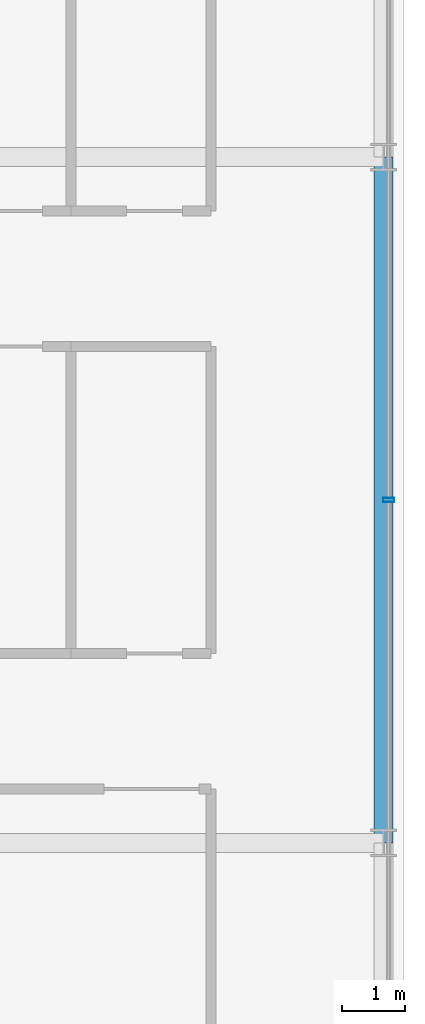
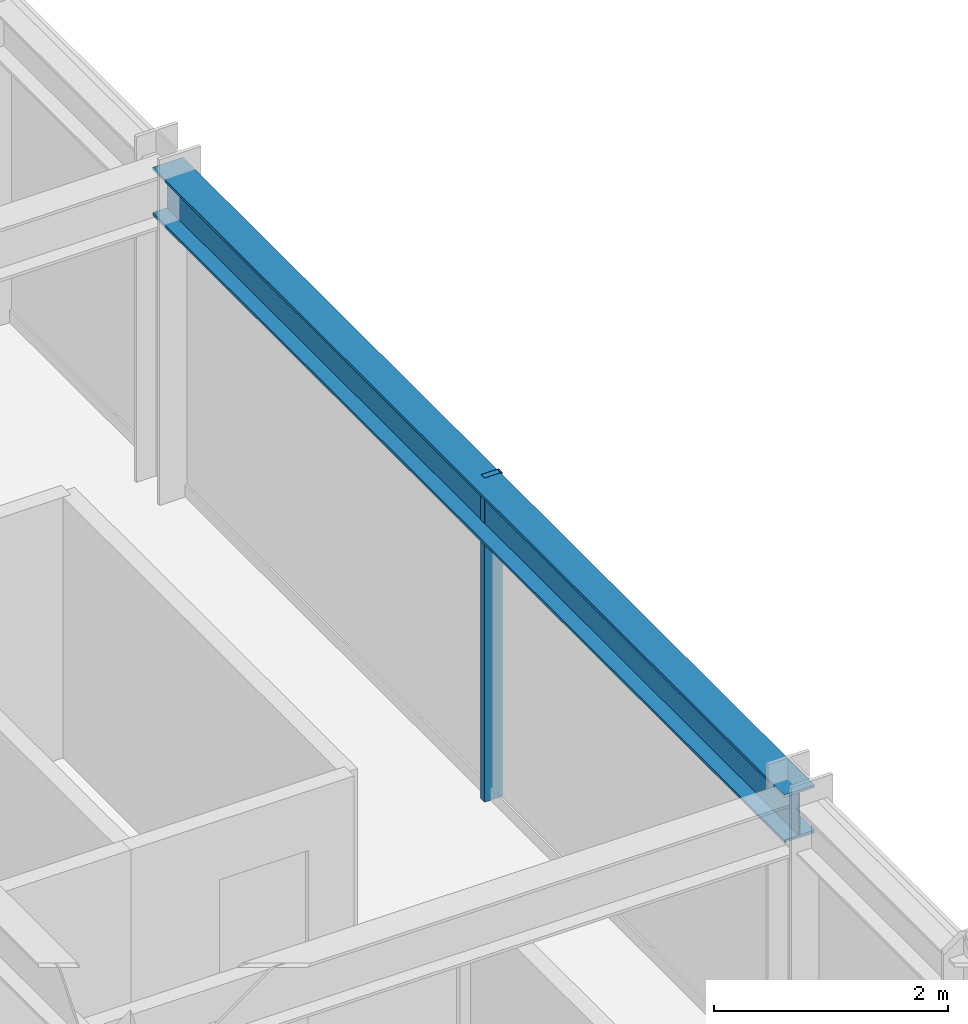
# One storey, part 16 of 32: 1 beam, 1 member, 1 element without a shape of its own.
"""IFC4 building model written with IfcOpenShell, lengths in metres."""

import ifcopenshell
import ifcopenshell.guid

model = None  # the IFC model being written
_history = None  # IfcOwnerHistory: only IFC2X3 demands one
_inside = {}  # id of a spatial element -> (the spatial element, [elements in it])
_under = {}  # id of a project, library or spatial element -> (it, [spatial elements below it])
_declared = {}  # id of a project -> (the project, [libraries it declares])
_typed = {}  # id of a type object -> (the type object, [elements of that type])
_made_of = {}  # id of a material, layer set ... -> (it, [elements and type objects made of it])


def new_model(schema):
    """Start an empty IFC model of exactly this schema.

    Asked for "IFC4X3", IfcOpenShell would pick the latest addendum, in which some entities
    have other attributes; the version numbers below select the first issue.
    IFC2X3 requires an IfcOwnerHistory on every rooted entity: one is made here for all.
    """
    global model, _history
    if schema == "IFC4X3":
        model = ifcopenshell.file(schema_version=(4, 3, 0, 0))
    else:
        model = ifcopenshell.file(schema=schema)
    _inside.clear()
    _under.clear()
    _declared.clear()
    _typed.clear()
    _made_of.clear()
    _history = None
    if model.schema == "IFC2X3":
        org = make("IfcOrganization", Name="unknown")
        user = make(
            "IfcPersonAndOrganization",
            ThePerson=make("IfcPerson", FamilyName="unknown"),
            TheOrganization=org,
        )
        app = make(
            "IfcApplication",
            ApplicationDeveloper=org,
            Version="unknown",
            ApplicationFullName="unknown",
            ApplicationIdentifier="unknown",
        )
        _history = make(
            "IfcOwnerHistory",
            OwningUser=user,
            OwningApplication=app,
            ChangeAction="ADDED",
            CreationDate=0,
        )
    return model


def make(cls, **values):
    """One entity of the class cls with the attributes given. An attribute that is None is left unset."""
    return model.create_entity(
        cls, **{name: value for name, value in values.items() if value is not None}
    )


def rooted(cls, **values):
    """An entity with a GlobalId (a new one), such as an element, a storey or a relation."""
    return make(cls, GlobalId=ifcopenshell.guid.new(), OwnerHistory=_history, **values)


def si_unit(unit_type, name, prefix=None):
    """IfcSIUnit, for example si_unit("LENGTHUNIT", "METRE", prefix="MILLI")."""
    return make("IfcSIUnit", UnitType=unit_type, Prefix=prefix, Name=name)


def assignment(units):
    """IfcUnitAssignment: the units of a project."""
    return None if units is None else make("IfcUnitAssignment", Units=units)


def point(xyz):
    """IfcCartesianPoint."""
    return None if xyz is None else make("IfcCartesianPoint", Coordinates=xyz)


def direction(xyz):
    """IfcDirection."""
    return None if xyz is None else make("IfcDirection", DirectionRatios=xyz)


def frame(location, z_axis=None, x_axis=None):
    """IfcAxis2Placement3D, a coordinate frame: its origin and axes. An axis left out is left unset."""
    return make(
        "IfcAxis2Placement3D",
        Location=point(location),
        Axis=direction(z_axis),
        RefDirection=direction(x_axis),
    )


def frame_2d(location, x_axis=None):
    """IfcAxis2Placement2D, a coordinate frame in the plane: its origin and x axis."""
    return make(
        "IfcAxis2Placement2D", Location=point(location), RefDirection=direction(x_axis)
    )


def origin():
    """The frame at (0, 0, 0) with its axes left unset."""
    return frame((0.0, 0.0, 0.0))


def origin_2d():
    """The frame at (0, 0) in the plane with its x axis left unset."""
    return frame_2d((0.0, 0.0))


def place(relative_to, where):
    """IfcLocalPlacement: puts the frame where relative to a parent placement (None: the world)."""
    return make(
        "IfcLocalPlacement", PlacementRelTo=relative_to, RelativePlacement=where
    )


def context(
    kind, dimensions, precision=None, world=None, true_north=None, identifier=None
):
    """IfcGeometricRepresentationContext, for example the 3D "Model" context."""
    return make(
        "IfcGeometricRepresentationContext",
        ContextIdentifier=identifier,
        ContextType=kind,
        CoordinateSpaceDimension=dimensions,
        Precision=precision,
        WorldCoordinateSystem=world,
        TrueNorth=true_north,
    )


def subcontext(parent, identifier, kind, view, scale=None):
    """IfcGeometricRepresentationSubContext, for example "Body" below "Model"."""
    return make(
        "IfcGeometricRepresentationSubContext",
        ContextIdentifier=identifier,
        ContextType=kind,
        ParentContext=parent,
        TargetScale=scale,
        TargetView=view,
    )


def project(units=None, contexts=None):
    """IfcProject with its units and contexts."""
    return rooted(
        "IfcProject",
        Name="project",
        RepresentationContexts=contexts,
        UnitsInContext=assignment(units),
    )


def spatial(cls, under=None, at=None, **own):
    """A site, building, storey or space (cls), placed at a placement, below another one or the project."""
    s = rooted(cls, ObjectPlacement=at, **own)
    if under is not None:
        _under.setdefault(under.id(), (under, []))[1].append(s)
    return s


def profile(cls, at=None, kind="AREA", **sizes):
    """A parametric profile (cls). Its sizes go by their IFC names, for example OverallWidth=200.0."""
    return make(cls, ProfileType=kind, Position=at, **sizes)


def hollow_rectangle(**sizes):
    """IfcRectangleHollowProfileDef."""
    return profile("IfcRectangleHollowProfileDef", **sizes)


def i_section(**sizes):
    """IfcIShapeProfileDef."""
    return profile("IfcIShapeProfileDef", **sizes)


def extrude(swept, where, along, depth):
    """IfcExtrudedAreaSolid: the profile swept, set in the frame where, extruded along a direction by depth."""
    return make(
        "IfcExtrudedAreaSolid",
        SweptArea=swept,
        Position=where,
        ExtrudedDirection=direction(along),
        Depth=depth,
    )


def shape(context_of_items, identifier, shape_type, items):
    """IfcShapeRepresentation: the items that make up one representation, for example the "Body"."""
    return make(
        "IfcShapeRepresentation",
        ContextOfItems=context_of_items,
        RepresentationIdentifier=identifier,
        RepresentationType=shape_type,
        Items=items,
    )


def source(mapping_origin, context_of_items, identifier, shape_type, items):
    """IfcRepresentationMap: a shape defined once, which mapped items show again and again."""
    return make(
        "IfcRepresentationMap",
        MappingOrigin=mapping_origin,
        MappedRepresentation=shape(context_of_items, identifier, shape_type, items),
    )


def transform(
    local_origin,
    x_axis=None,
    y_axis=None,
    z_axis=None,
    scale=None,
    scale2=None,
    scale3=None,
    uniform=True,
):
    """IfcCartesianTransformationOperator3D, or its non-uniform kind. x_axis, y_axis, z_axis: its Axis1, 2, 3."""
    if uniform:
        return make(
            "IfcCartesianTransformationOperator3D",
            Axis1=direction(x_axis),
            Axis2=direction(y_axis),
            LocalOrigin=point(local_origin),
            Scale=scale,
            Axis3=direction(z_axis),
        )
    return make(
        "IfcCartesianTransformationOperator3DnonUniform",
        Axis1=direction(x_axis),
        Axis2=direction(y_axis),
        LocalOrigin=point(local_origin),
        Scale=scale,
        Axis3=direction(z_axis),
        Scale2=scale2,
        Scale3=scale3,
    )


def mapped(mapping_source, mapping_target):
    """IfcMappedItem: shows the shape of a source again, moved by a transform."""
    return make(
        "IfcMappedItem", MappingSource=mapping_source, MappingTarget=mapping_target
    )


def material(Name=None, Category=None):
    """IfcMaterial."""
    return make("IfcMaterial", Name=Name, Category=Category)


def material_profile(
    of_material, cross_section, Name=None, Category=None, Priority=None
):
    """IfcMaterialProfile: a cross section and its material."""
    return make(
        "IfcMaterialProfile",
        Name=Name,
        Material=of_material,
        Profile=cross_section,
        Priority=Priority,
        Category=Category,
    )


def profile_set(profiles, Name=None, composite=None):
    """IfcMaterialProfileSet."""
    return make(
        "IfcMaterialProfileSet",
        Name=Name,
        MaterialProfiles=profiles,
        CompositeProfile=composite,
    )


def made_of(thing, what):
    """Note that an element or type object is made of a material, layer set ...; save() writes the relation."""
    if what is not None:
        _made_of.setdefault(what.id(), (what, []))[1].append(thing)
    return thing


def type_object(cls, material=None, **own):
    """A type object (cls), such as IfcWallType, which elements share."""
    return made_of(rooted(cls, **own), material)


def element(
    cls,
    number,
    at=None,
    inside=None,
    cuts=None,
    type_object=None,
    material=None,
    context=None,
    identifier="Body",
    shape_type=None,
    held_by="IfcProductDefinitionShape",
    body=None,
    shapes=None,
    **own,
):
    """One element of the class cls, such as IfcWall. Its Tag is "e" and its number.

    at: its placement. inside: the storey or other place that contains it. cuts: it is an
    opening in that element (IfcRelVoidsElement). A single representation is given by context,
    identifier, shape_type and body (its items); several are given by shapes. held_by: the class
    of the entity that holds the representations. save() writes the other relations.
    """
    e = rooted(cls, Tag="e%d" % number, ObjectPlacement=at, **own)
    if body is not None:
        shapes = [shape(context, identifier, shape_type, body)]
    if shapes is not None:
        e.Representation = make(held_by, Representations=shapes)
    if inside is not None:
        _inside.setdefault(inside.id(), (inside, []))[1].append(e)
    if cuts is not None:
        rooted(
            "IfcRelVoidsElement", RelatingBuildingElement=cuts, RelatedOpeningElement=e
        )
    if type_object is not None:
        _typed.setdefault(type_object.id(), (type_object, []))[1].append(e)
    return made_of(e, material)


def aggregate(whole, parts):
    """IfcRelAggregates: a whole, such as a stair, and the parts it consists of."""
    return rooted("IfcRelAggregates", RelatingObject=whole, RelatedObjects=parts)


def save(model, path):
    """Write the relations noted so far, then the file.

    IfcRelAggregates (storeys below a building ...), IfcRelContainedInSpatialStructure (elements
    in a storey), IfcRelDefinesByType, IfcRelAssociatesMaterial and IfcRelDeclares: one each for
    every whole, place, type object, material and project.
    """
    for whole, parts in _under.values():
        aggregate(whole, parts)
    for where, things in _inside.values():
        rooted(
            "IfcRelContainedInSpatialStructure",
            RelatedElements=things,
            RelatingStructure=where,
        )
    for kind, things in _typed.values():
        rooted("IfcRelDefinesByType", RelatedObjects=things, RelatingType=kind)
    for what, things in _made_of.values():
        rooted("IfcRelAssociatesMaterial", RelatedObjects=things, RelatingMaterial=what)
    for by, libraries in _declared.values():
        rooted("IfcRelDeclares", RelatingContext=by, RelatedDefinitions=libraries)
    model.write(path)


model = new_model("IFC4")

# Units and contexts
model_context = context("Model", 3, precision=1e-05, world=origin(), true_north=direction((0.0, 1.0)))
body_context = subcontext(model_context, "Body", "Model", "MODEL_VIEW")
ifc_project = project(units=[si_unit("LENGTHUNIT", "METRE"), si_unit("AREAUNIT", "SQUARE_METRE"), si_unit("VOLUMEUNIT", "CUBIC_METRE"), si_unit("PLANEANGLEUNIT", "RADIAN"), si_unit("MASSUNIT", "GRAM", prefix="KILO")], contexts=[model_context])

# Site, building, storey
site_placement = place(None, origin())
site = spatial("IfcSite", under=ifc_project, at=site_placement, CompositionType="ELEMENT")
building_placement = place(site_placement, origin())
building = spatial("IfcBuilding", under=site, at=building_placement, Name="Nahalor Promenade Grand Hotel", CompositionType="ELEMENT")
storey_placement = place(building_placement, frame((0.0, 0.0, 124.800048828125)))
storey = spatial("IfcBuildingStorey", under=building, at=storey_placement, Name="L31", CompositionType="ELEMENT", Elevation=124.800048828125)

# Beam
ifc_material_1 = material(Name="Steel S355JR", Category="steel")
ifc_material_profile_1 = material_profile(ifc_material_1, i_section(OverallWidth=0.3, OverallDepth=0.5, WebThickness=0.0145, FlangeThickness=0.028, at=origin_2d()), Name="HEB 500")
ifc_profile_set_1 = profile_set([ifc_material_profile_1], Name="Steel S355JR")
beam_type = type_object("IfcBeamType", Name="Beam-Spandrel-HEB500", PredefinedType="SPANDREL", material=ifc_profile_set_1)
shared_shape_1 = source(origin(), body_context, "Body", "SweptSolid", [
    extrude(i_section(OverallWidth=0.3, OverallDepth=0.5, WebThickness=0.0145, FlangeThickness=0.028, at=origin_2d()), origin(), (0.0, 0.0, 1.0), 10.7998046875),
])
beam_placement = place(storey_placement, frame((23.780029296875, -5.39990234375, 3.1298828125), z_axis=(0.0, 1.0, 0.0), x_axis=(-1.0, 0.0, 0.0)))
element("IfcBeam", 1, at=beam_placement, inside=storey, type_object=beam_type, Name="BM-L31-SP-E-2", PredefinedType="SPANDREL", context=body_context, shape_type="MappedRepresentation", body=[
    mapped(shared_shape_1, transform((0.0, 0.0, 0.0), scale=1.0)),
])

# Curtain wall, member
ifc_material_2 = material(Name="Anodised Bronze Aluminium EN AW-6063 T6", Category="aluminium")
curtain_wall_type = type_object("IfcCurtainWallType", Name="CW2 Typical Hotel Flush Bronze Unitised Curtain Wall", PredefinedType="USERDEFINED", material=ifc_material_2)
curtain_wall_placement = place(storey_placement, origin())
curtain_wall = element("IfcCurtainWall", 2, at=curtain_wall_placement, inside=storey, type_object=curtain_wall_type, Name="L31 Curtain Wall CW-L31-E-1", ObjectType="UNITISED_CURTAIN_WALL", PredefinedType="USERDEFINED")
ifc_material_profile_2 = material_profile(ifc_material_2, hollow_rectangle(XDim=0.065, YDim=0.18, WallThickness=0.004, at=origin_2d()), Name="CWM 65x180x4")
ifc_profile_set_2 = profile_set([ifc_material_profile_2], Name="Anodised Bronze Aluminium EN AW-6063 T6")
member_type = type_object("IfcMemberType", Name="CWM2 Typical Bronze Mullion 65x180", PredefinedType="MULLION", material=ifc_profile_set_2)
shared_shape_2 = source(origin(), body_context, "Body", "SweptSolid", [
    extrude(hollow_rectangle(XDim=0.065, YDim=0.18, WallThickness=0.004, at=origin_2d()), origin(), (0.0, 0.0, 1.0), 3.3798828125),
])
member_placement = place(storey_placement, frame((23.860107421875, 0.0, 0.0), z_axis=(0.0, 0.0, 1.0), x_axis=(0.0, 1.0, 0.0)))
member = element("IfcMember", 3, at=member_placement, type_object=member_type, Name="CW-L31-E-1 Mullion 2", PredefinedType="MULLION", context=body_context, shape_type="MappedRepresentation", body=[
    mapped(shared_shape_2, transform((0.0, 0.0, 0.0), scale=1.0)),
])
aggregate(curtain_wall, [member])

save(model, "model.ifc")
